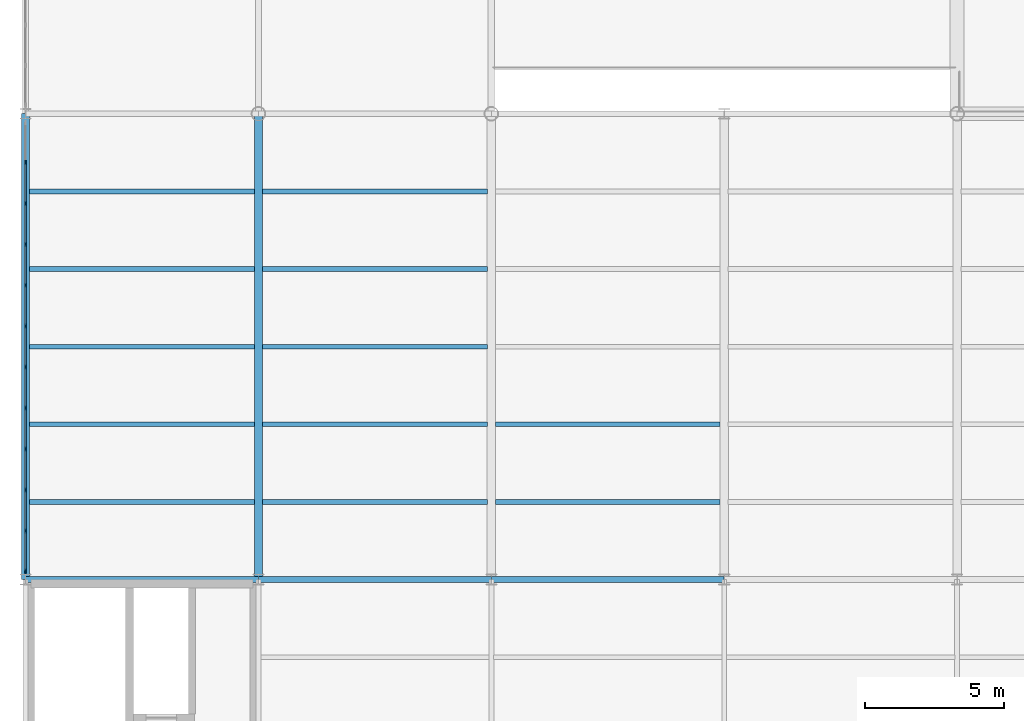
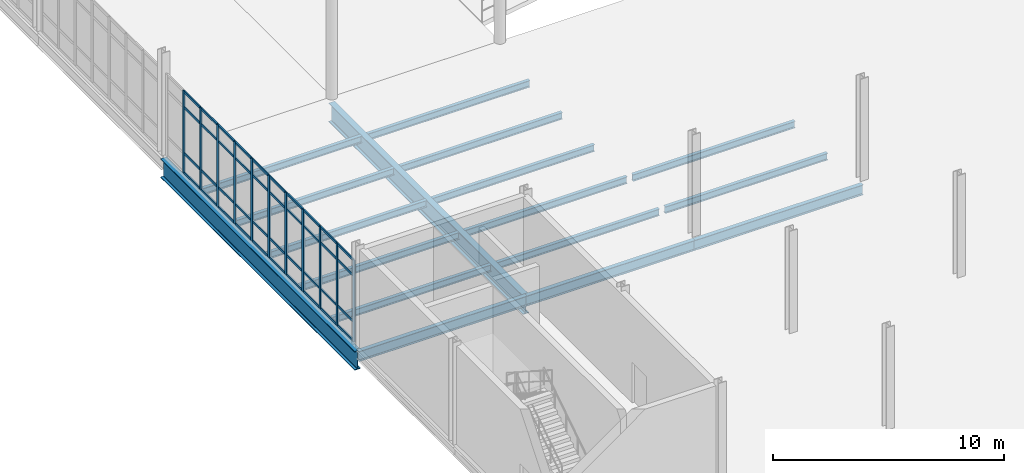
# One storey, part 47 of 111: 51 members, 17 beams, 1 element without a shape of its own.
"""IFC4 building model written with IfcOpenShell, lengths in metres."""

from ifc_helpers import new_model, si_unit, direction, frame, origin, origin_2d, place, context, subcontext, project, spatial, rectangle, i_section, extrude, material, layer, layer_set, material_profile, profile_set, type_object, element, aggregate, save


model = new_model("IFC4")

# Units and contexts
model_context = context("Model", 3, precision=1e-05, world=origin(), true_north=direction((0.0, 1.0)))
body_context = subcontext(model_context, "Body", "Model", "MODEL_VIEW")
ifc_project = project(units=[si_unit("LENGTHUNIT", "METRE"), si_unit("AREAUNIT", "SQUARE_METRE"), si_unit("VOLUMEUNIT", "CUBIC_METRE"), si_unit("PLANEANGLEUNIT", "RADIAN"), si_unit("MASSUNIT", "GRAM", prefix="KILO"), si_unit("THERMODYNAMICTEMPERATUREUNIT", "KELVIN"), si_unit("POWERUNIT", "WATT")], contexts=[model_context])

# Site, building, storey
site_placement = place(None, origin())
site = spatial("IfcSite", under=ifc_project, at=site_placement, CompositionType="ELEMENT")
building_placement = place(site_placement, origin())
building = spatial("IfcBuilding", under=site, at=building_placement, Name="Tembeka Court Mobility Hub", CompositionType="ELEMENT")
storey_placement = place(building_placement, origin())
storey = spatial("IfcBuildingStorey", under=building, at=storey_placement, Name="L00", CompositionType="ELEMENT", Elevation=0.0)

# Beams
ifc_material_1 = material(Name="Steel S355", Category="steel")
ifc_material_profile_1 = material_profile(ifc_material_1, i_section(OverallWidth=0.2099609375, OverallDepth=0.537109375, WebThickness=0.0107421875, FlangeThickness=0.017333984375, FilletRadius=0.0126953125, at=origin_2d()), Name="UKB 533x210x101")
ifc_profile_set_1 = profile_set([ifc_material_profile_1], Name="Steel S355")
beam_type_1 = type_object("IfcBeamType", Name="BM-G03", PredefinedType="USERDEFINED", material=ifc_profile_set_1)
beam_1_placement = place(storey_placement, frame((0.0, 80.39990234375, -0.548583984375), z_axis=(1.0, 0.0, 0.0), x_axis=(0.0, 1.0, 0.0)))
element("IfcBeam", 1, at=beam_1_placement, inside=storey, type_object=beam_type_1, Name="Beam G03 (BM-L00-X0120)", ObjectType="GIRDER", PredefinedType="USERDEFINED", context=body_context, shape_type="SweptSolid", body=[
    extrude(i_section(OverallWidth=0.2099609375, OverallDepth=0.537109375, WebThickness=0.0107421875, FlangeThickness=0.017333984375, FilletRadius=0.0126953125, at=origin_2d()), origin(), (0.0, 0.0, 1.0), 8.39990234375),
])
beam_2_placement = place(storey_placement, frame((8.39990234375, 80.39990234375, -0.548583984375), z_axis=(1.0, 0.0, 0.0), x_axis=(0.0, 1.0, 0.0)))
element("IfcBeam", 2, at=beam_2_placement, inside=storey, type_object=beam_type_1, Name="Beam G03 (BM-L00-X0121)", ObjectType="GIRDER", PredefinedType="USERDEFINED", context=body_context, shape_type="SweptSolid", body=[
    extrude(i_section(OverallWidth=0.2099609375, OverallDepth=0.537109375, WebThickness=0.0107421875, FlangeThickness=0.017333984375, FilletRadius=0.0126953125, at=origin_2d()), origin(), (0.0, 0.0, 1.0), 8.400146484375),
])
beam_3_placement = place(storey_placement, frame((16.800048828125, 80.39990234375, -0.548583984375), z_axis=(1.0, 0.0, 0.0), x_axis=(0.0, 1.0, 0.0)))
element("IfcBeam", 3, at=beam_3_placement, inside=storey, type_object=beam_type_1, Name="Beam G03 (BM-L00-X0122)", ObjectType="GIRDER", PredefinedType="USERDEFINED", context=body_context, shape_type="SweptSolid", body=[
    extrude(i_section(OverallWidth=0.2099609375, OverallDepth=0.537109375, WebThickness=0.0107421875, FlangeThickness=0.017333984375, FilletRadius=0.0126953125, at=origin_2d()), origin(), (0.0, 0.0, 1.0), 8.39990234375),
])
ifc_material_profile_2 = material_profile(ifc_material_1, i_section(OverallWidth=0.172119140625, OverallDepth=0.35498046875, WebThickness=0.00732421875, FlangeThickness=0.011474609375, FilletRadius=0.01025390625, at=origin_2d()), Name="UKB 356x171x51")
ifc_profile_set_2 = profile_set([ifc_material_profile_2], Name="Steel S355")
beam_type_2 = type_object("IfcBeamType", Name="BM-J01", PredefinedType="JOIST", material=ifc_profile_set_2)
for number, where, z_axis, x_axis, name in (
    (4, (0.14501953125, 83.199951171875, -0.45751953125), (1.0, 0.0, 0.0), (0.0, 1.0, 0.0), "Beam J01 (JST-L00-0333)"),
    (5, (0.14501953125, 86.0, -0.45751953125), (1.0, 0.0, 0.0), (0.0, 1.0, 0.0), "Beam J01 (JST-L00-0334)"),
    (6, (0.14501953125, 88.800048828125, -0.45751953125), (1.0, 0.0, 0.0), (0.0, 1.0, 0.0), "Beam J01 (JST-L00-0335)"),
    (7, (0.14501953125, 91.60009765625, -0.45751953125), (1.0, 0.0, 0.0), (0.0, 1.0, 0.0), "Beam J01 (JST-L00-0336)"),
    (8, (0.14501953125, 94.39990234375, -0.45751953125), (1.0, 0.0, 0.0), (0.0, 1.0, 0.0), "Beam J01 (JST-L00-0337)"),
):
    element("IfcBeam", number, at=place(storey_placement, frame(where, z_axis=z_axis, x_axis=x_axis)), inside=storey, type_object=beam_type_2, Name=name, PredefinedType="JOIST", context=body_context, shape_type="SweptSolid", body=[
        extrude(i_section(OverallWidth=0.172119140625, OverallDepth=0.35498046875, WebThickness=0.00732421875, FlangeThickness=0.011474609375, FilletRadius=0.01025390625, at=origin_2d()), origin(), (0.0, 0.0, 1.0), 8.10986328125),
    ])
for number, where, z_axis, x_axis, name in (
    (9, (8.544921875, 83.199951171875, -0.45751953125), (1.0, 0.0, 0.0), (0.0, 1.0, 0.0), "Beam J01 (JST-L00-0353)"),
    (10, (8.544921875, 86.0, -0.45751953125), (1.0, 0.0, 0.0), (0.0, 1.0, 0.0), "Beam J01 (JST-L00-0354)"),
    (11, (8.544921875, 88.800048828125, -0.45751953125), (1.0, 0.0, 0.0), (0.0, 1.0, 0.0), "Beam J01 (JST-L00-0355)"),
    (12, (8.544921875, 91.60009765625, -0.45751953125), (1.0, 0.0, 0.0), (0.0, 1.0, 0.0), "Beam J01 (JST-L00-0356)"),
    (13, (8.544921875, 94.39990234375, -0.45751953125), (1.0, 0.0, 0.0), (0.0, 1.0, 0.0), "Beam J01 (JST-L00-0357)"),
):
    element("IfcBeam", number, at=place(storey_placement, frame(where, z_axis=z_axis, x_axis=x_axis)), inside=storey, type_object=beam_type_2, Name=name, PredefinedType="JOIST", context=body_context, shape_type="SweptSolid", body=[
        extrude(i_section(OverallWidth=0.172119140625, OverallDepth=0.35498046875, WebThickness=0.00732421875, FlangeThickness=0.011474609375, FilletRadius=0.01025390625, at=origin_2d()), origin(), (0.0, 0.0, 1.0), 8.110107421875),
    ])
for number, where, z_axis, x_axis, name in (
    (14, (16.945068359375, 83.199951171875, -0.45751953125), (1.0, 0.0, 0.0), (0.0, 1.0, 0.0), "Beam J01 (JST-L00-0373)"),
    (15, (16.945068359375, 86.0, -0.45751953125), (1.0, 0.0, 0.0), (0.0, 1.0, 0.0), "Beam J01 (JST-L00-0374)"),
):
    element("IfcBeam", number, at=place(storey_placement, frame(where, z_axis=z_axis, x_axis=x_axis)), inside=storey, type_object=beam_type_2, Name=name, PredefinedType="JOIST", context=body_context, shape_type="SweptSolid", body=[
        extrude(i_section(OverallWidth=0.172119140625, OverallDepth=0.35498046875, WebThickness=0.00732421875, FlangeThickness=0.011474609375, FilletRadius=0.01025390625, at=origin_2d()), origin(), (0.0, 0.0, 1.0), 8.10986328125),
    ])
ifc_material_profile_3 = material_profile(ifc_material_1, i_section(OverallWidth=0.300048828125, OverallDepth=1.0, WebThickness=0.01904296875, FlangeThickness=0.035888671875, FilletRadius=0.030029296875, at=origin_2d()), Name="HEB 1000")
ifc_profile_set_3 = profile_set([ifc_material_profile_3], Name="Steel S355")
beam_type_3 = type_object("IfcBeamType", Name="BM-TG01", PredefinedType="USERDEFINED", material=ifc_profile_set_3)
for number, where, z_axis, x_axis, name in (
    (16, (0.0, 80.39990234375, -0.780029296875), (0.0, 1.0, 0.0), (-1.0, 0.0, 0.0), "Beam TG01 (BM-L00-Y0172)"),
    (17, (8.39990234375, 80.39990234375, -0.780029296875), (0.0, 1.0, 0.0), (-1.0, 0.0, 0.0), "Beam TG01 (BM-L00-Y0183)"),
):
    element("IfcBeam", number, at=place(storey_placement, frame(where, z_axis=z_axis, x_axis=x_axis)), inside=storey, type_object=beam_type_3, Name=name, ObjectType="GIRDER", PredefinedType="USERDEFINED", context=body_context, shape_type="SweptSolid", body=[
        extrude(i_section(OverallWidth=0.300048828125, OverallDepth=1.0, WebThickness=0.01904296875, FlangeThickness=0.035888671875, FilletRadius=0.030029296875, at=origin_2d()), origin(), (0.0, 0.0, 1.0), 16.800048828125),
    ])

# Curtain wall, members
ifc_material_2 = material(Name="Anodised aluminium 6063-T6", Category="aluminium")
ifc_layer = layer(ifc_material_2, 0.159912109375)
ifc_layer_set = layer_set([ifc_layer], Name="Anodised aluminium 6063-T6")
curtain_wall_type = type_object("IfcCurtainWallType", Name="CW-SYS19", PredefinedType="USERDEFINED", material=ifc_layer_set)
curtain_wall_placement = place(storey_placement, origin())
curtain_wall = element("IfcCurtainWall", 18, at=curtain_wall_placement, inside=storey, type_object=curtain_wall_type, Name="Unitised curtain wall CW19 (CW-L00-029)", ObjectType="UNITISED GLAZING", PredefinedType="USERDEFINED")
ifc_material_profile_4 = material_profile(ifc_material_2, rectangle(XDim=0.06494140625, YDim=0.159912109375, at=origin_2d()), Name="ALU-MUL 65x160")
ifc_profile_set_4 = profile_set([ifc_material_profile_4], Name="Anodised aluminium 6063-T6")
member_type_1 = type_object("IfcMemberType", Name="CW-MUL01", PredefinedType="MULLION", material=ifc_profile_set_4)
member_1_placement = place(storey_placement, frame((0.0, 80.71240234375, 0.0), z_axis=(0.0, 0.0, 1.0), x_axis=(-1.0, 0.0, 0.0)))
member_1 = element("IfcMember", 19, at=member_1_placement, type_object=member_type_1, Name="CW19 mullion 1", PredefinedType="MULLION", context=body_context, shape_type="SweptSolid", body=[
    extrude(rectangle(XDim=0.06494140625, YDim=0.159912109375, at=origin_2d()), origin(), (0.0, 0.0, 1.0), 4.3349609375),
])
member_2_placement = place(storey_placement, frame((0.0, 82.15625, 0.0), z_axis=(0.0, 0.0, 1.0), x_axis=(-1.0, 0.0, 0.0)))
member_2 = element("IfcMember", 20, at=member_2_placement, type_object=member_type_1, Name="CW19 mullion 2", PredefinedType="MULLION", context=body_context, shape_type="SweptSolid", body=[
    extrude(rectangle(XDim=0.06494140625, YDim=0.159912109375, at=origin_2d()), origin(), (0.0, 0.0, 1.0), 4.3349609375),
])
member_3_placement = place(storey_placement, frame((0.0, 83.6328125, 0.0), z_axis=(0.0, 0.0, 1.0), x_axis=(-1.0, 0.0, 0.0)))
member_3 = element("IfcMember", 21, at=member_3_placement, type_object=member_type_1, Name="CW19 mullion 3", PredefinedType="MULLION", context=body_context, shape_type="SweptSolid", body=[
    extrude(rectangle(XDim=0.06494140625, YDim=0.159912109375, at=origin_2d()), origin(), (0.0, 0.0, 1.0), 4.3349609375),
])
member_4_placement = place(storey_placement, frame((0.0, 85.109130859375, 0.0), z_axis=(0.0, 0.0, 1.0), x_axis=(-1.0, 0.0, 0.0)))
member_4 = element("IfcMember", 22, at=member_4_placement, type_object=member_type_1, Name="CW19 mullion 4", PredefinedType="MULLION", context=body_context, shape_type="SweptSolid", body=[
    extrude(rectangle(XDim=0.06494140625, YDim=0.159912109375, at=origin_2d()), origin(), (0.0, 0.0, 1.0), 4.3349609375),
])
member_5_placement = place(storey_placement, frame((0.0, 86.58544921875, 0.0), z_axis=(0.0, 0.0, 1.0), x_axis=(-1.0, 0.0, 0.0)))
member_5 = element("IfcMember", 23, at=member_5_placement, type_object=member_type_1, Name="CW19 mullion 5", PredefinedType="MULLION", context=body_context, shape_type="SweptSolid", body=[
    extrude(rectangle(XDim=0.06494140625, YDim=0.159912109375, at=origin_2d()), origin(), (0.0, 0.0, 1.0), 4.3349609375),
])
member_6_placement = place(storey_placement, frame((0.0, 88.061767578125, 0.0), z_axis=(0.0, 0.0, 1.0), x_axis=(-1.0, 0.0, 0.0)))
member_6 = element("IfcMember", 24, at=member_6_placement, type_object=member_type_1, Name="CW19 mullion 6", PredefinedType="MULLION", context=body_context, shape_type="SweptSolid", body=[
    extrude(rectangle(XDim=0.06494140625, YDim=0.159912109375, at=origin_2d()), origin(), (0.0, 0.0, 1.0), 4.3349609375),
])
member_7_placement = place(storey_placement, frame((0.0, 89.5380859375, 0.0), z_axis=(0.0, 0.0, 1.0), x_axis=(-1.0, 0.0, 0.0)))
member_7 = element("IfcMember", 25, at=member_7_placement, type_object=member_type_1, Name="CW19 mullion 7", PredefinedType="MULLION", context=body_context, shape_type="SweptSolid", body=[
    extrude(rectangle(XDim=0.06494140625, YDim=0.159912109375, at=origin_2d()), origin(), (0.0, 0.0, 1.0), 4.3349609375),
])
member_8_placement = place(storey_placement, frame((0.0, 91.0146484375, 0.0), z_axis=(0.0, 0.0, 1.0), x_axis=(-1.0, 0.0, 0.0)))
member_8 = element("IfcMember", 26, at=member_8_placement, type_object=member_type_1, Name="CW19 mullion 8", PredefinedType="MULLION", context=body_context, shape_type="SweptSolid", body=[
    extrude(rectangle(XDim=0.06494140625, YDim=0.159912109375, at=origin_2d()), origin(), (0.0, 0.0, 1.0), 4.3349609375),
])
member_9_placement = place(storey_placement, frame((0.0, 92.490966796875, 0.0), z_axis=(0.0, 0.0, 1.0), x_axis=(-1.0, 0.0, 0.0)))
member_9 = element("IfcMember", 27, at=member_9_placement, type_object=member_type_1, Name="CW19 mullion 9", PredefinedType="MULLION", context=body_context, shape_type="SweptSolid", body=[
    extrude(rectangle(XDim=0.06494140625, YDim=0.159912109375, at=origin_2d()), origin(), (0.0, 0.0, 1.0), 4.3349609375),
])
member_10_placement = place(storey_placement, frame((0.0, 93.96728515625, 0.0), z_axis=(0.0, 0.0, 1.0), x_axis=(-1.0, 0.0, 0.0)))
member_10 = element("IfcMember", 28, at=member_10_placement, type_object=member_type_1, Name="CW19 mullion 10", PredefinedType="MULLION", context=body_context, shape_type="SweptSolid", body=[
    extrude(rectangle(XDim=0.06494140625, YDim=0.159912109375, at=origin_2d()), origin(), (0.0, 0.0, 1.0), 4.3349609375),
])
member_11_placement = place(storey_placement, frame((0.0, 95.443603515625, 0.0), z_axis=(0.0, 0.0, 1.0), x_axis=(-1.0, 0.0, 0.0)))
member_11 = element("IfcMember", 29, at=member_11_placement, type_object=member_type_1, Name="CW19 mullion 11", PredefinedType="MULLION", context=body_context, shape_type="SweptSolid", body=[
    extrude(rectangle(XDim=0.06494140625, YDim=0.159912109375, at=origin_2d()), origin(), (0.0, 0.0, 1.0), 4.3349609375),
])
ifc_material_profile_5 = material_profile(ifc_material_2, rectangle(XDim=0.06494140625, YDim=0.1201171875, at=origin_2d()), Name="ALU-TRN 65x120")
ifc_profile_set_5 = profile_set([ifc_material_profile_5], Name="Anodised aluminium 6063-T6")
member_type_2 = type_object("IfcMemberType", Name="CW-TRN01", PredefinedType="USERDEFINED", material=ifc_profile_set_5)
member_12_placement = place(storey_placement, frame((0.0, 80.7451171875, 0.032470703125), z_axis=(0.0, 1.0, 0.0), x_axis=(-1.0, 0.0, 0.0)))
member_12 = element("IfcMember", 30, at=member_12_placement, type_object=member_type_2, Name="CW19 transom 1.1", ObjectType="TRANSOM", PredefinedType="USERDEFINED", context=body_context, shape_type="SweptSolid", body=[
    extrude(rectangle(XDim=0.06494140625, YDim=0.1201171875, at=origin_2d()), origin(), (0.0, 0.0, 1.0), 1.378662109375),
])
member_13_placement = place(storey_placement, frame((0.0, 80.7451171875, 1.050048828125), z_axis=(0.0, 1.0, 0.0), x_axis=(-1.0, 0.0, 0.0)))
member_13 = element("IfcMember", 31, at=member_13_placement, type_object=member_type_2, Name="CW19 transom 1.2", ObjectType="TRANSOM", PredefinedType="USERDEFINED", context=body_context, shape_type="SweptSolid", body=[
    extrude(rectangle(XDim=0.06494140625, YDim=0.1201171875, at=origin_2d()), origin(), (0.0, 0.0, 1.0), 1.378662109375),
])
member_14_placement = place(storey_placement, frame((0.0, 80.7451171875, 3.485107421875), z_axis=(0.0, 1.0, 0.0), x_axis=(-1.0, 0.0, 0.0)))
member_14 = element("IfcMember", 32, at=member_14_placement, type_object=member_type_2, Name="CW19 transom 1.3", ObjectType="TRANSOM", PredefinedType="USERDEFINED", context=body_context, shape_type="SweptSolid", body=[
    extrude(rectangle(XDim=0.06494140625, YDim=0.1201171875, at=origin_2d()), origin(), (0.0, 0.0, 1.0), 1.378662109375),
])
member_15_placement = place(storey_placement, frame((0.0, 80.7451171875, 4.302490234375), z_axis=(0.0, 1.0, 0.0), x_axis=(-1.0, 0.0, 0.0)))
member_15 = element("IfcMember", 33, at=member_15_placement, type_object=member_type_2, Name="CW19 transom 1.4", ObjectType="TRANSOM", PredefinedType="USERDEFINED", context=body_context, shape_type="SweptSolid", body=[
    extrude(rectangle(XDim=0.06494140625, YDim=0.1201171875, at=origin_2d()), origin(), (0.0, 0.0, 1.0), 1.378662109375),
])
member_16_placement = place(storey_placement, frame((0.0, 82.18896484375, 0.032470703125), z_axis=(0.0, 1.0, 0.0), x_axis=(-1.0, 0.0, 0.0)))
member_16 = element("IfcMember", 34, at=member_16_placement, type_object=member_type_2, Name="CW19 transom 2.1", ObjectType="TRANSOM", PredefinedType="USERDEFINED", context=body_context, shape_type="SweptSolid", body=[
    extrude(rectangle(XDim=0.06494140625, YDim=0.1201171875, at=origin_2d()), origin(), (0.0, 0.0, 1.0), 1.411376953125),
])
member_17_placement = place(storey_placement, frame((0.0, 82.18896484375, 1.050048828125), z_axis=(0.0, 1.0, 0.0), x_axis=(-1.0, 0.0, 0.0)))
member_17 = element("IfcMember", 35, at=member_17_placement, type_object=member_type_2, Name="CW19 transom 2.2", ObjectType="TRANSOM", PredefinedType="USERDEFINED", context=body_context, shape_type="SweptSolid", body=[
    extrude(rectangle(XDim=0.06494140625, YDim=0.1201171875, at=origin_2d()), origin(), (0.0, 0.0, 1.0), 1.411376953125),
])
member_18_placement = place(storey_placement, frame((0.0, 82.18896484375, 3.485107421875), z_axis=(0.0, 1.0, 0.0), x_axis=(-1.0, 0.0, 0.0)))
member_18 = element("IfcMember", 36, at=member_18_placement, type_object=member_type_2, Name="CW19 transom 2.3", ObjectType="TRANSOM", PredefinedType="USERDEFINED", context=body_context, shape_type="SweptSolid", body=[
    extrude(rectangle(XDim=0.06494140625, YDim=0.1201171875, at=origin_2d()), origin(), (0.0, 0.0, 1.0), 1.411376953125),
])
member_19_placement = place(storey_placement, frame((0.0, 82.18896484375, 4.302490234375), z_axis=(0.0, 1.0, 0.0), x_axis=(-1.0, 0.0, 0.0)))
member_19 = element("IfcMember", 37, at=member_19_placement, type_object=member_type_2, Name="CW19 transom 2.4", ObjectType="TRANSOM", PredefinedType="USERDEFINED", context=body_context, shape_type="SweptSolid", body=[
    extrude(rectangle(XDim=0.06494140625, YDim=0.1201171875, at=origin_2d()), origin(), (0.0, 0.0, 1.0), 1.411376953125),
])
member_20_placement = place(storey_placement, frame((0.0, 83.665283203125, 0.032470703125), z_axis=(0.0, 1.0, 0.0), x_axis=(-1.0, 0.0, 0.0)))
member_20 = element("IfcMember", 38, at=member_20_placement, type_object=member_type_2, Name="CW19 transom 3.1", ObjectType="TRANSOM", PredefinedType="USERDEFINED", context=body_context, shape_type="SweptSolid", body=[
    extrude(rectangle(XDim=0.06494140625, YDim=0.1201171875, at=origin_2d()), origin(), (0.0, 0.0, 1.0), 1.411376953125),
])
member_21_placement = place(storey_placement, frame((0.0, 83.665283203125, 1.050048828125), z_axis=(0.0, 1.0, 0.0), x_axis=(-1.0, 0.0, 0.0)))
member_21 = element("IfcMember", 39, at=member_21_placement, type_object=member_type_2, Name="CW19 transom 3.2", ObjectType="TRANSOM", PredefinedType="USERDEFINED", context=body_context, shape_type="SweptSolid", body=[
    extrude(rectangle(XDim=0.06494140625, YDim=0.1201171875, at=origin_2d()), origin(), (0.0, 0.0, 1.0), 1.411376953125),
])
member_22_placement = place(storey_placement, frame((0.0, 83.665283203125, 3.485107421875), z_axis=(0.0, 1.0, 0.0), x_axis=(-1.0, 0.0, 0.0)))
member_22 = element("IfcMember", 40, at=member_22_placement, type_object=member_type_2, Name="CW19 transom 3.3", ObjectType="TRANSOM", PredefinedType="USERDEFINED", context=body_context, shape_type="SweptSolid", body=[
    extrude(rectangle(XDim=0.06494140625, YDim=0.1201171875, at=origin_2d()), origin(), (0.0, 0.0, 1.0), 1.411376953125),
])
member_23_placement = place(storey_placement, frame((0.0, 83.665283203125, 4.302490234375), z_axis=(0.0, 1.0, 0.0), x_axis=(-1.0, 0.0, 0.0)))
member_23 = element("IfcMember", 41, at=member_23_placement, type_object=member_type_2, Name="CW19 transom 3.4", ObjectType="TRANSOM", PredefinedType="USERDEFINED", context=body_context, shape_type="SweptSolid", body=[
    extrude(rectangle(XDim=0.06494140625, YDim=0.1201171875, at=origin_2d()), origin(), (0.0, 0.0, 1.0), 1.411376953125),
])
member_24_placement = place(storey_placement, frame((0.0, 85.1416015625, 0.032470703125), z_axis=(0.0, 1.0, 0.0), x_axis=(-1.0, 0.0, 0.0)))
member_24 = element("IfcMember", 42, at=member_24_placement, type_object=member_type_2, Name="CW19 transom 4.1", ObjectType="TRANSOM", PredefinedType="USERDEFINED", context=body_context, shape_type="SweptSolid", body=[
    extrude(rectangle(XDim=0.06494140625, YDim=0.1201171875, at=origin_2d()), origin(), (0.0, 0.0, 1.0), 1.411376953125),
])
member_25_placement = place(storey_placement, frame((0.0, 85.1416015625, 1.050048828125), z_axis=(0.0, 1.0, 0.0), x_axis=(-1.0, 0.0, 0.0)))
member_25 = element("IfcMember", 43, at=member_25_placement, type_object=member_type_2, Name="CW19 transom 4.2", ObjectType="TRANSOM", PredefinedType="USERDEFINED", context=body_context, shape_type="SweptSolid", body=[
    extrude(rectangle(XDim=0.06494140625, YDim=0.1201171875, at=origin_2d()), origin(), (0.0, 0.0, 1.0), 1.411376953125),
])
member_26_placement = place(storey_placement, frame((0.0, 85.1416015625, 3.485107421875), z_axis=(0.0, 1.0, 0.0), x_axis=(-1.0, 0.0, 0.0)))
member_26 = element("IfcMember", 44, at=member_26_placement, type_object=member_type_2, Name="CW19 transom 4.3", ObjectType="TRANSOM", PredefinedType="USERDEFINED", context=body_context, shape_type="SweptSolid", body=[
    extrude(rectangle(XDim=0.06494140625, YDim=0.1201171875, at=origin_2d()), origin(), (0.0, 0.0, 1.0), 1.411376953125),
])
member_27_placement = place(storey_placement, frame((0.0, 85.1416015625, 4.302490234375), z_axis=(0.0, 1.0, 0.0), x_axis=(-1.0, 0.0, 0.0)))
member_27 = element("IfcMember", 45, at=member_27_placement, type_object=member_type_2, Name="CW19 transom 4.4", ObjectType="TRANSOM", PredefinedType="USERDEFINED", context=body_context, shape_type="SweptSolid", body=[
    extrude(rectangle(XDim=0.06494140625, YDim=0.1201171875, at=origin_2d()), origin(), (0.0, 0.0, 1.0), 1.411376953125),
])
member_28_placement = place(storey_placement, frame((0.0, 86.617919921875, 0.032470703125), z_axis=(0.0, 1.0, 0.0), x_axis=(-1.0, 0.0, 0.0)))
member_28 = element("IfcMember", 46, at=member_28_placement, type_object=member_type_2, Name="CW19 transom 5.1", ObjectType="TRANSOM", PredefinedType="USERDEFINED", context=body_context, shape_type="SweptSolid", body=[
    extrude(rectangle(XDim=0.06494140625, YDim=0.1201171875, at=origin_2d()), origin(), (0.0, 0.0, 1.0), 1.411376953125),
])
member_29_placement = place(storey_placement, frame((0.0, 86.617919921875, 1.050048828125), z_axis=(0.0, 1.0, 0.0), x_axis=(-1.0, 0.0, 0.0)))
member_29 = element("IfcMember", 47, at=member_29_placement, type_object=member_type_2, Name="CW19 transom 5.2", ObjectType="TRANSOM", PredefinedType="USERDEFINED", context=body_context, shape_type="SweptSolid", body=[
    extrude(rectangle(XDim=0.06494140625, YDim=0.1201171875, at=origin_2d()), origin(), (0.0, 0.0, 1.0), 1.411376953125),
])
member_30_placement = place(storey_placement, frame((0.0, 86.617919921875, 3.485107421875), z_axis=(0.0, 1.0, 0.0), x_axis=(-1.0, 0.0, 0.0)))
member_30 = element("IfcMember", 48, at=member_30_placement, type_object=member_type_2, Name="CW19 transom 5.3", ObjectType="TRANSOM", PredefinedType="USERDEFINED", context=body_context, shape_type="SweptSolid", body=[
    extrude(rectangle(XDim=0.06494140625, YDim=0.1201171875, at=origin_2d()), origin(), (0.0, 0.0, 1.0), 1.411376953125),
])
member_31_placement = place(storey_placement, frame((0.0, 86.617919921875, 4.302490234375), z_axis=(0.0, 1.0, 0.0), x_axis=(-1.0, 0.0, 0.0)))
member_31 = element("IfcMember", 49, at=member_31_placement, type_object=member_type_2, Name="CW19 transom 5.4", ObjectType="TRANSOM", PredefinedType="USERDEFINED", context=body_context, shape_type="SweptSolid", body=[
    extrude(rectangle(XDim=0.06494140625, YDim=0.1201171875, at=origin_2d()), origin(), (0.0, 0.0, 1.0), 1.411376953125),
])
member_32_placement = place(storey_placement, frame((0.0, 88.09423828125, 0.032470703125), z_axis=(0.0, 1.0, 0.0), x_axis=(-1.0, 0.0, 0.0)))
member_32 = element("IfcMember", 50, at=member_32_placement, type_object=member_type_2, Name="CW19 transom 6.1", ObjectType="TRANSOM", PredefinedType="USERDEFINED", context=body_context, shape_type="SweptSolid", body=[
    extrude(rectangle(XDim=0.06494140625, YDim=0.1201171875, at=origin_2d()), origin(), (0.0, 0.0, 1.0), 1.411376953125),
])
member_33_placement = place(storey_placement, frame((0.0, 88.09423828125, 1.050048828125), z_axis=(0.0, 1.0, 0.0), x_axis=(-1.0, 0.0, 0.0)))
member_33 = element("IfcMember", 51, at=member_33_placement, type_object=member_type_2, Name="CW19 transom 6.2", ObjectType="TRANSOM", PredefinedType="USERDEFINED", context=body_context, shape_type="SweptSolid", body=[
    extrude(rectangle(XDim=0.06494140625, YDim=0.1201171875, at=origin_2d()), origin(), (0.0, 0.0, 1.0), 1.411376953125),
])
member_34_placement = place(storey_placement, frame((0.0, 88.09423828125, 3.485107421875), z_axis=(0.0, 1.0, 0.0), x_axis=(-1.0, 0.0, 0.0)))
member_34 = element("IfcMember", 52, at=member_34_placement, type_object=member_type_2, Name="CW19 transom 6.3", ObjectType="TRANSOM", PredefinedType="USERDEFINED", context=body_context, shape_type="SweptSolid", body=[
    extrude(rectangle(XDim=0.06494140625, YDim=0.1201171875, at=origin_2d()), origin(), (0.0, 0.0, 1.0), 1.411376953125),
])
member_35_placement = place(storey_placement, frame((0.0, 88.09423828125, 4.302490234375), z_axis=(0.0, 1.0, 0.0), x_axis=(-1.0, 0.0, 0.0)))
member_35 = element("IfcMember", 53, at=member_35_placement, type_object=member_type_2, Name="CW19 transom 6.4", ObjectType="TRANSOM", PredefinedType="USERDEFINED", context=body_context, shape_type="SweptSolid", body=[
    extrude(rectangle(XDim=0.06494140625, YDim=0.1201171875, at=origin_2d()), origin(), (0.0, 0.0, 1.0), 1.411376953125),
])
member_36_placement = place(storey_placement, frame((0.0, 89.57080078125, 0.032470703125), z_axis=(0.0, 1.0, 0.0), x_axis=(-1.0, 0.0, 0.0)))
member_36 = element("IfcMember", 54, at=member_36_placement, type_object=member_type_2, Name="CW19 transom 7.1", ObjectType="TRANSOM", PredefinedType="USERDEFINED", context=body_context, shape_type="SweptSolid", body=[
    extrude(rectangle(XDim=0.06494140625, YDim=0.1201171875, at=origin_2d()), origin(), (0.0, 0.0, 1.0), 1.4111328125),
])
member_37_placement = place(storey_placement, frame((0.0, 89.57080078125, 1.050048828125), z_axis=(0.0, 1.0, 0.0), x_axis=(-1.0, 0.0, 0.0)))
member_37 = element("IfcMember", 55, at=member_37_placement, type_object=member_type_2, Name="CW19 transom 7.2", ObjectType="TRANSOM", PredefinedType="USERDEFINED", context=body_context, shape_type="SweptSolid", body=[
    extrude(rectangle(XDim=0.06494140625, YDim=0.1201171875, at=origin_2d()), origin(), (0.0, 0.0, 1.0), 1.4111328125),
])
member_38_placement = place(storey_placement, frame((0.0, 89.57080078125, 3.485107421875), z_axis=(0.0, 1.0, 0.0), x_axis=(-1.0, 0.0, 0.0)))
member_38 = element("IfcMember", 56, at=member_38_placement, type_object=member_type_2, Name="CW19 transom 7.3", ObjectType="TRANSOM", PredefinedType="USERDEFINED", context=body_context, shape_type="SweptSolid", body=[
    extrude(rectangle(XDim=0.06494140625, YDim=0.1201171875, at=origin_2d()), origin(), (0.0, 0.0, 1.0), 1.4111328125),
])
member_39_placement = place(storey_placement, frame((0.0, 89.57080078125, 4.302490234375), z_axis=(0.0, 1.0, 0.0), x_axis=(-1.0, 0.0, 0.0)))
member_39 = element("IfcMember", 57, at=member_39_placement, type_object=member_type_2, Name="CW19 transom 7.4", ObjectType="TRANSOM", PredefinedType="USERDEFINED", context=body_context, shape_type="SweptSolid", body=[
    extrude(rectangle(XDim=0.06494140625, YDim=0.1201171875, at=origin_2d()), origin(), (0.0, 0.0, 1.0), 1.4111328125),
])
member_40_placement = place(storey_placement, frame((0.0, 91.047119140625, 0.032470703125), z_axis=(0.0, 1.0, 0.0), x_axis=(-1.0, 0.0, 0.0)))
member_40 = element("IfcMember", 58, at=member_40_placement, type_object=member_type_2, Name="CW19 transom 8.1", ObjectType="TRANSOM", PredefinedType="USERDEFINED", context=body_context, shape_type="SweptSolid", body=[
    extrude(rectangle(XDim=0.06494140625, YDim=0.1201171875, at=origin_2d()), origin(), (0.0, 0.0, 1.0), 1.411376953125),
])
member_41_placement = place(storey_placement, frame((0.0, 91.047119140625, 1.050048828125), z_axis=(0.0, 1.0, 0.0), x_axis=(-1.0, 0.0, 0.0)))
member_41 = element("IfcMember", 59, at=member_41_placement, type_object=member_type_2, Name="CW19 transom 8.2", ObjectType="TRANSOM", PredefinedType="USERDEFINED", context=body_context, shape_type="SweptSolid", body=[
    extrude(rectangle(XDim=0.06494140625, YDim=0.1201171875, at=origin_2d()), origin(), (0.0, 0.0, 1.0), 1.411376953125),
])
member_42_placement = place(storey_placement, frame((0.0, 91.047119140625, 3.485107421875), z_axis=(0.0, 1.0, 0.0), x_axis=(-1.0, 0.0, 0.0)))
member_42 = element("IfcMember", 60, at=member_42_placement, type_object=member_type_2, Name="CW19 transom 8.3", ObjectType="TRANSOM", PredefinedType="USERDEFINED", context=body_context, shape_type="SweptSolid", body=[
    extrude(rectangle(XDim=0.06494140625, YDim=0.1201171875, at=origin_2d()), origin(), (0.0, 0.0, 1.0), 1.411376953125),
])
member_43_placement = place(storey_placement, frame((0.0, 91.047119140625, 4.302490234375), z_axis=(0.0, 1.0, 0.0), x_axis=(-1.0, 0.0, 0.0)))
member_43 = element("IfcMember", 61, at=member_43_placement, type_object=member_type_2, Name="CW19 transom 8.4", ObjectType="TRANSOM", PredefinedType="USERDEFINED", context=body_context, shape_type="SweptSolid", body=[
    extrude(rectangle(XDim=0.06494140625, YDim=0.1201171875, at=origin_2d()), origin(), (0.0, 0.0, 1.0), 1.411376953125),
])
member_44_placement = place(storey_placement, frame((0.0, 92.5234375, 0.032470703125), z_axis=(0.0, 1.0, 0.0), x_axis=(-1.0, 0.0, 0.0)))
member_44 = element("IfcMember", 62, at=member_44_placement, type_object=member_type_2, Name="CW19 transom 9.1", ObjectType="TRANSOM", PredefinedType="USERDEFINED", context=body_context, shape_type="SweptSolid", body=[
    extrude(rectangle(XDim=0.06494140625, YDim=0.1201171875, at=origin_2d()), origin(), (0.0, 0.0, 1.0), 1.411376953125),
])
member_45_placement = place(storey_placement, frame((0.0, 92.5234375, 1.050048828125), z_axis=(0.0, 1.0, 0.0), x_axis=(-1.0, 0.0, 0.0)))
member_45 = element("IfcMember", 63, at=member_45_placement, type_object=member_type_2, Name="CW19 transom 9.2", ObjectType="TRANSOM", PredefinedType="USERDEFINED", context=body_context, shape_type="SweptSolid", body=[
    extrude(rectangle(XDim=0.06494140625, YDim=0.1201171875, at=origin_2d()), origin(), (0.0, 0.0, 1.0), 1.411376953125),
])
member_46_placement = place(storey_placement, frame((0.0, 92.5234375, 3.485107421875), z_axis=(0.0, 1.0, 0.0), x_axis=(-1.0, 0.0, 0.0)))
member_46 = element("IfcMember", 64, at=member_46_placement, type_object=member_type_2, Name="CW19 transom 9.3", ObjectType="TRANSOM", PredefinedType="USERDEFINED", context=body_context, shape_type="SweptSolid", body=[
    extrude(rectangle(XDim=0.06494140625, YDim=0.1201171875, at=origin_2d()), origin(), (0.0, 0.0, 1.0), 1.411376953125),
])
member_47_placement = place(storey_placement, frame((0.0, 92.5234375, 4.302490234375), z_axis=(0.0, 1.0, 0.0), x_axis=(-1.0, 0.0, 0.0)))
member_47 = element("IfcMember", 65, at=member_47_placement, type_object=member_type_2, Name="CW19 transom 9.4", ObjectType="TRANSOM", PredefinedType="USERDEFINED", context=body_context, shape_type="SweptSolid", body=[
    extrude(rectangle(XDim=0.06494140625, YDim=0.1201171875, at=origin_2d()), origin(), (0.0, 0.0, 1.0), 1.411376953125),
])
member_48_placement = place(storey_placement, frame((0.0, 93.999755859375, 0.032470703125), z_axis=(0.0, 1.0, 0.0), x_axis=(-1.0, 0.0, 0.0)))
member_48 = element("IfcMember", 66, at=member_48_placement, type_object=member_type_2, Name="CW19 transom 10.1", ObjectType="TRANSOM", PredefinedType="USERDEFINED", context=body_context, shape_type="SweptSolid", body=[
    extrude(rectangle(XDim=0.06494140625, YDim=0.1201171875, at=origin_2d()), origin(), (0.0, 0.0, 1.0), 1.411376953125),
])
member_49_placement = place(storey_placement, frame((0.0, 93.999755859375, 1.050048828125), z_axis=(0.0, 1.0, 0.0), x_axis=(-1.0, 0.0, 0.0)))
member_49 = element("IfcMember", 67, at=member_49_placement, type_object=member_type_2, Name="CW19 transom 10.2", ObjectType="TRANSOM", PredefinedType="USERDEFINED", context=body_context, shape_type="SweptSolid", body=[
    extrude(rectangle(XDim=0.06494140625, YDim=0.1201171875, at=origin_2d()), origin(), (0.0, 0.0, 1.0), 1.411376953125),
])
member_50_placement = place(storey_placement, frame((0.0, 93.999755859375, 3.485107421875), z_axis=(0.0, 1.0, 0.0), x_axis=(-1.0, 0.0, 0.0)))
member_50 = element("IfcMember", 68, at=member_50_placement, type_object=member_type_2, Name="CW19 transom 10.3", ObjectType="TRANSOM", PredefinedType="USERDEFINED", context=body_context, shape_type="SweptSolid", body=[
    extrude(rectangle(XDim=0.06494140625, YDim=0.1201171875, at=origin_2d()), origin(), (0.0, 0.0, 1.0), 1.411376953125),
])
member_51_placement = place(storey_placement, frame((0.0, 93.999755859375, 4.302490234375), z_axis=(0.0, 1.0, 0.0), x_axis=(-1.0, 0.0, 0.0)))
member_51 = element("IfcMember", 69, at=member_51_placement, type_object=member_type_2, Name="CW19 transom 10.4", ObjectType="TRANSOM", PredefinedType="USERDEFINED", context=body_context, shape_type="SweptSolid", body=[
    extrude(rectangle(XDim=0.06494140625, YDim=0.1201171875, at=origin_2d()), origin(), (0.0, 0.0, 1.0), 1.411376953125),
])
aggregate(curtain_wall, [member_1, member_2, member_3, member_4, member_5, member_6, member_7, member_8, member_9, member_10, member_11, member_12, member_13, member_14, member_15, member_16, member_17, member_18, member_19, member_20, member_21, member_22, member_23, member_24, member_25, member_26, member_27, member_28, member_29, member_30, member_31, member_32, member_33, member_34, member_35, member_36, member_37, member_38, member_39, member_40, member_41, member_42, member_43, member_44, member_45, member_46, member_47, member_48, member_49, member_50, member_51])

save(model, "model.ifc")
